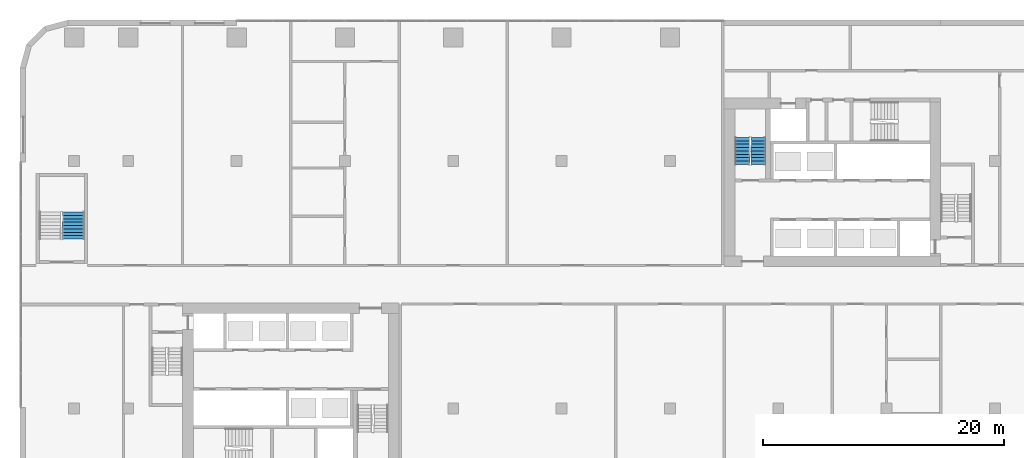
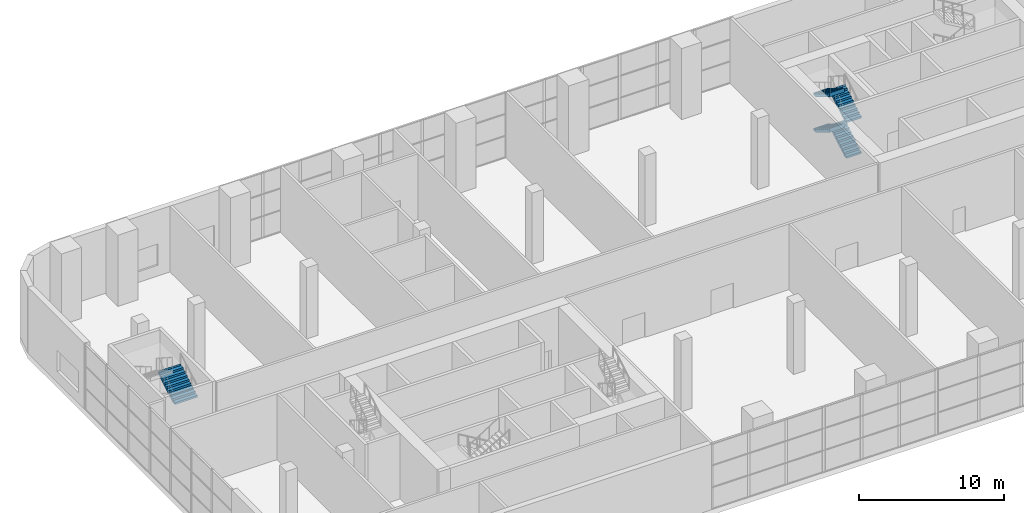
# One storey, part 20 of 27: 5 stair flights, 2 elements without a shape of their own.
"""IFC4 building model written with IfcOpenShell, lengths in metres."""

from ifc_helpers import new_model, si_unit, direction, frame, origin, place, context, subcontext, project, spatial, faceted_brep, material, type_object, element, aggregate, save


model = new_model("IFC4")

# Units and contexts
model_context = context("Model", 3, precision=1e-05, world=origin(), true_north=direction((0.0, 1.0)))
body_context = subcontext(model_context, "Body", "Model", "MODEL_VIEW")
ifc_project = project(units=[si_unit("LENGTHUNIT", "METRE"), si_unit("AREAUNIT", "SQUARE_METRE"), si_unit("VOLUMEUNIT", "CUBIC_METRE"), si_unit("PLANEANGLEUNIT", "RADIAN"), si_unit("MASSUNIT", "GRAM", prefix="KILO")], contexts=[model_context])

# Site, building, storey
site_placement = place(None, origin())
site = spatial("IfcSite", under=ifc_project, at=site_placement, CompositionType="ELEMENT")
building_placement = place(site_placement, origin())
building = spatial("IfcBuilding", under=site, at=building_placement, Name="Kajstack Hotel Tower", CompositionType="ELEMENT")
storey_placement = place(building_placement, frame((0.0, 0.0, 11.0)))
storey = spatial("IfcBuildingStorey", under=building, at=storey_placement, Name="L01", CompositionType="ELEMENT", Elevation=11.0)

# Stair, stair flight
ifc_material = material(Name="Concrete C40/50", Category="concrete")
stair_type_1 = type_object("IfcStairType", Name="Escape stair 1800", PredefinedType="HALF_TURN_STAIR", material=ifc_material)
stair_1_placement = place(storey_placement, origin())
stair_1 = element("IfcStair", 1, at=stair_1_placement, inside=storey, type_object=stair_type_1, Name="L01 stair P1", PredefinedType="HALF_TURN_STAIR")
stair_flight_type_1 = type_object("IfcStairFlightType", Name="Escape stair flight 1800", PredefinedType="STRAIGHT", material=ifc_material)
stair_flight_1_placement = place(storey_placement, frame((-40.550048828125, 3.800048828125, 3.0), z_axis=(0.0, 0.0, 1.0), x_axis=(0.0, 1.0, 0.0)))
stair_flight_1 = element("IfcStairFlight", 2, at=stair_flight_1_placement, type_object=stair_flight_type_1, Name="P1 flight 3", NumberOfRisers=9, NumberOfTreads=8, PredefinedType="STRAIGHT", RiserHeight=0.166666667, TreadLength=0.28, context=body_context, shape_type="Brep", body=[
    faceted_brep([(0.29345703125, -0.89990234375, 0.0), (2.240478515625, -0.89990234375, 1.158935546875), (2.240478515625, -0.89990234375, 1.5), (2.239990234375, -0.89990234375, 1.5), (2.239990234375, -0.89990234375, 1.333251953125), (1.9599609375, -0.89990234375, 1.333251953125), (1.9599609375, -0.89990234375, 1.166748046875), (1.679931640625, -0.89990234375, 1.166748046875), (1.679931640625, -0.89990234375, 1.0), (1.39990234375, -0.89990234375, 1.0), (1.39990234375, -0.89990234375, 0.833251953125), (1.1201171875, -0.89990234375, 0.833251953125), (1.1201171875, -0.89990234375, 0.666748046875), (0.840087890625, -0.89990234375, 0.666748046875), (0.840087890625, -0.89990234375, 0.5), (0.56005859375, -0.89990234375, 0.5), (0.56005859375, -0.89990234375, 0.333251953125), (0.280029296875, -0.89990234375, 0.333251953125), (0.280029296875, -0.89990234375, 0.166748046875), (-0.00048828125, -0.89990234375, 0.166748046875), (-0.00048828125, -0.89990234375, 0.0), (-0.00048828125, 0.89990234375, 0.0), (-0.00048828125, 0.89990234375, 0.166748046875), (0.280029296875, 0.89990234375, 0.166748046875), (0.280029296875, 0.89990234375, 0.333251953125), (0.56005859375, 0.89990234375, 0.333251953125), (0.56005859375, 0.89990234375, 0.5), (0.840087890625, 0.89990234375, 0.5), (0.840087890625, 0.89990234375, 0.666748046875), (1.1201171875, 0.89990234375, 0.666748046875), (1.1201171875, 0.89990234375, 0.833251953125), (1.39990234375, 0.89990234375, 0.833251953125), (1.39990234375, 0.89990234375, 1.0), (1.679931640625, 0.89990234375, 1.0), (1.679931640625, 0.89990234375, 1.166748046875), (1.9599609375, 0.89990234375, 1.166748046875), (1.9599609375, 0.89990234375, 1.333251953125), (2.239990234375, 0.89990234375, 1.333251953125), (2.239990234375, 0.89990234375, 1.5), (2.240478515625, 0.89990234375, 1.5), (2.240478515625, 0.89990234375, 1.158935546875), (0.29345703125, 0.89990234375, 0.0), (-0.00048828125, -0.449951171875, 0.166748046875), (-0.00048828125, 0.0, 0.166748046875), (-0.00048828125, 0.449951171875, 0.166748046875), (-0.00048828125, 0.449951171875, 0.0), (-0.00048828125, 0.0, 0.0), (-0.00048828125, -0.449951171875, 0.0), (0.280029296875, -0.449951171875, 0.166748046875), (0.280029296875, 0.0, 0.166748046875), (0.280029296875, 0.449951171875, 0.166748046875), (0.280029296875, -0.449951171875, 0.333251953125), (0.280029296875, 0.0, 0.333251953125), (0.280029296875, 0.449951171875, 0.333251953125), (0.56005859375, -0.449951171875, 0.333251953125), (0.56005859375, 0.0, 0.333251953125), (0.56005859375, 0.449951171875, 0.333251953125), (0.56005859375, -0.449951171875, 0.5), (0.56005859375, 0.0, 0.5), (0.56005859375, 0.449951171875, 0.5), (0.840087890625, -0.449951171875, 0.5), (0.840087890625, 0.0, 0.5), (0.840087890625, 0.449951171875, 0.5), (0.840087890625, -0.449951171875, 0.666748046875), (0.840087890625, 0.0, 0.666748046875), (0.840087890625, 0.449951171875, 0.666748046875), (1.1201171875, -0.449951171875, 0.666748046875), (1.1201171875, 0.0, 0.666748046875), (1.1201171875, 0.449951171875, 0.666748046875), (1.1201171875, -0.449951171875, 0.833251953125), (1.1201171875, 0.0, 0.833251953125), (1.1201171875, 0.449951171875, 0.833251953125), (1.39990234375, -0.449951171875, 0.833251953125), (1.39990234375, 0.0, 0.833251953125), (1.39990234375, 0.449951171875, 0.833251953125), (1.39990234375, -0.449951171875, 1.0), (1.39990234375, 0.0, 1.0), (1.39990234375, 0.449951171875, 1.0), (1.679931640625, -0.449951171875, 1.0), (1.679931640625, 0.0, 1.0), (1.679931640625, 0.449951171875, 1.0), (1.679931640625, -0.449951171875, 1.166748046875), (1.679931640625, 0.0, 1.166748046875), (1.679931640625, 0.449951171875, 1.166748046875), (1.9599609375, -0.449951171875, 1.166748046875), (1.9599609375, 0.0, 1.166748046875), (1.9599609375, 0.449951171875, 1.166748046875), (1.9599609375, -0.449951171875, 1.333251953125), (1.9599609375, 0.0, 1.333251953125), (1.9599609375, 0.449951171875, 1.333251953125), (2.239990234375, -0.449951171875, 1.333251953125), (2.239990234375, 0.0, 1.333251953125), (2.239990234375, 0.449951171875, 1.333251953125), (2.239990234375, -0.449951171875, 1.5), (2.239990234375, 0.0, 1.5), (2.239990234375, 0.449951171875, 1.5), (2.240478515625, -0.449951171875, 1.5), (2.240478515625, 0.0, 1.5), (2.240478515625, 0.449951171875, 1.5), (2.240478515625, -0.449951171875, 1.158935546875), (2.240478515625, 0.0, 1.158935546875), (2.240478515625, 0.449951171875, 1.158935546875), (0.29345703125, -0.449951171875, 0.0), (0.29345703125, 0.0, 0.0), (0.29345703125, 0.449951171875, 0.0)], [[[0, 1, 2, 3, 4, 5, 6, 7, 8, 9, 10, 11, 12, 13, 14, 15, 16, 17, 18, 19, 20]], [[21, 22, 23, 24, 25, 26, 27, 28, 29, 30, 31, 32, 33, 34, 35, 36, 37, 38, 39, 40, 41]], [[19, 42, 43, 44, 22, 21, 45, 46, 47, 20]], [[18, 48, 49, 50, 23, 22, 44, 43, 42, 19]], [[17, 51, 52, 53, 24, 23, 50, 49, 48, 18]], [[16, 54, 55, 56, 25, 24, 53, 52, 51, 17]], [[15, 57, 58, 59, 26, 25, 56, 55, 54, 16]], [[14, 60, 61, 62, 27, 26, 59, 58, 57, 15]], [[13, 63, 64, 65, 28, 27, 62, 61, 60, 14]], [[12, 66, 67, 68, 29, 28, 65, 64, 63, 13]], [[11, 69, 70, 71, 30, 29, 68, 67, 66, 12]], [[10, 72, 73, 74, 31, 30, 71, 70, 69, 11]], [[9, 75, 76, 77, 32, 31, 74, 73, 72, 10]], [[8, 78, 79, 80, 33, 32, 77, 76, 75, 9]], [[7, 81, 82, 83, 34, 33, 80, 79, 78, 8]], [[6, 84, 85, 86, 35, 34, 83, 82, 81, 7]], [[5, 87, 88, 89, 36, 35, 86, 85, 84, 6]], [[4, 90, 91, 92, 37, 36, 89, 88, 87, 5]], [[3, 93, 94, 95, 38, 37, 92, 91, 90, 4]], [[2, 96, 97, 98, 39, 38, 95, 94, 93, 3]], [[1, 99, 100, 101, 40, 39, 98, 97, 96, 2]], [[0, 102, 103, 104, 41, 40, 101, 100, 99, 1]], [[20, 47, 46, 45, 21, 41, 104, 103, 102, 0]]]),
])
aggregate(stair_1, [stair_flight_1])

# Stair, stair flights
stair_type_2 = type_object("IfcStairType", Name="Exit stair 1200", PredefinedType="HALF_TURN_STAIR", material=ifc_material)
stair_2_placement = place(storey_placement, origin())
stair_2 = element("IfcStair", 3, at=stair_2_placement, inside=storey, type_object=stair_type_2, Name="L01 stair E2", PredefinedType="HALF_TURN_STAIR")
stair_flight_type_2 = type_object("IfcStairFlightType", Name="Exit stair flight 1200", PredefinedType="STRAIGHT", material=ifc_material)
stair_flight_2_placement = place(storey_placement, frame((16.35009765625, 10.0, 0.0), z_axis=(0.0, 0.0, 1.0), x_axis=(0.0, 1.0, 0.0)))
stair_flight_2 = element("IfcStairFlight", 4, at=stair_flight_2_placement, type_object=stair_flight_type_2, Name="E2 flight 1", NumberOfRisers=9, NumberOfTreads=8, PredefinedType="STRAIGHT", RiserHeight=0.166666667, TreadLength=0.28, context=body_context, shape_type="Brep", body=[
    faceted_brep([(0.29345703125, -0.60009765625, 0.0), (2.240478515625, -0.60009765625, 1.158935546875), (2.240478515625, -0.60009765625, 1.5), (2.239990234375, -0.60009765625, 1.5), (2.239990234375, -0.60009765625, 1.333251953125), (1.9599609375, -0.60009765625, 1.333251953125), (1.9599609375, -0.60009765625, 1.166748046875), (1.679931640625, -0.60009765625, 1.166748046875), (1.679931640625, -0.60009765625, 1.0), (1.39990234375, -0.60009765625, 1.0), (1.39990234375, -0.60009765625, 0.833251953125), (1.1201171875, -0.60009765625, 0.833251953125), (1.1201171875, -0.60009765625, 0.666748046875), (0.840087890625, -0.60009765625, 0.666748046875), (0.840087890625, -0.60009765625, 0.5), (0.56005859375, -0.60009765625, 0.5), (0.56005859375, -0.60009765625, 0.333251953125), (0.280029296875, -0.60009765625, 0.333251953125), (0.280029296875, -0.60009765625, 0.166748046875), (-0.00048828125, -0.60009765625, 0.166748046875), (-0.00048828125, -0.60009765625, 0.0), (-0.00048828125, 0.60009765625, 0.0), (-0.00048828125, 0.60009765625, 0.166748046875), (0.280029296875, 0.60009765625, 0.166748046875), (0.280029296875, 0.60009765625, 0.333251953125), (0.56005859375, 0.60009765625, 0.333251953125), (0.56005859375, 0.60009765625, 0.5), (0.840087890625, 0.60009765625, 0.5), (0.840087890625, 0.60009765625, 0.666748046875), (1.1201171875, 0.60009765625, 0.666748046875), (1.1201171875, 0.60009765625, 0.833251953125), (1.39990234375, 0.60009765625, 0.833251953125), (1.39990234375, 0.60009765625, 1.0), (1.679931640625, 0.60009765625, 1.0), (1.679931640625, 0.60009765625, 1.166748046875), (1.9599609375, 0.60009765625, 1.166748046875), (1.9599609375, 0.60009765625, 1.333251953125), (2.239990234375, 0.60009765625, 1.333251953125), (2.239990234375, 0.60009765625, 1.5), (2.240478515625, 0.60009765625, 1.5), (2.240478515625, 0.60009765625, 1.158935546875), (0.29345703125, 0.60009765625, 0.0), (-0.00048828125, -0.300048828125, 0.166748046875), (-0.00048828125, 0.0, 0.166748046875), (-0.00048828125, 0.300048828125, 0.166748046875), (-0.00048828125, 0.300048828125, 0.0), (-0.00048828125, 0.0, 0.0), (-0.00048828125, -0.300048828125, 0.0), (0.280029296875, -0.300048828125, 0.166748046875), (0.280029296875, 0.0, 0.166748046875), (0.280029296875, 0.300048828125, 0.166748046875), (0.280029296875, -0.300048828125, 0.333251953125), (0.280029296875, 0.0, 0.333251953125), (0.280029296875, 0.300048828125, 0.333251953125), (0.56005859375, -0.300048828125, 0.333251953125), (0.56005859375, 0.0, 0.333251953125), (0.56005859375, 0.300048828125, 0.333251953125), (0.56005859375, -0.300048828125, 0.5), (0.56005859375, 0.0, 0.5), (0.56005859375, 0.300048828125, 0.5), (0.840087890625, -0.300048828125, 0.5), (0.840087890625, 0.0, 0.5), (0.840087890625, 0.300048828125, 0.5), (0.840087890625, -0.300048828125, 0.666748046875), (0.840087890625, 0.0, 0.666748046875), (0.840087890625, 0.300048828125, 0.666748046875), (1.1201171875, -0.300048828125, 0.666748046875), (1.1201171875, 0.0, 0.666748046875), (1.1201171875, 0.300048828125, 0.666748046875), (1.1201171875, -0.300048828125, 0.833251953125), (1.1201171875, 0.0, 0.833251953125), (1.1201171875, 0.300048828125, 0.833251953125), (1.39990234375, -0.300048828125, 0.833251953125), (1.39990234375, 0.0, 0.833251953125), (1.39990234375, 0.300048828125, 0.833251953125), (1.39990234375, -0.300048828125, 1.0), (1.39990234375, 0.0, 1.0), (1.39990234375, 0.300048828125, 1.0), (1.679931640625, -0.300048828125, 1.0), (1.679931640625, 0.0, 1.0), (1.679931640625, 0.300048828125, 1.0), (1.679931640625, -0.300048828125, 1.166748046875), (1.679931640625, 0.0, 1.166748046875), (1.679931640625, 0.300048828125, 1.166748046875), (1.9599609375, -0.300048828125, 1.166748046875), (1.9599609375, 0.0, 1.166748046875), (1.9599609375, 0.300048828125, 1.166748046875), (1.9599609375, -0.300048828125, 1.333251953125), (1.9599609375, 0.0, 1.333251953125), (1.9599609375, 0.300048828125, 1.333251953125), (2.239990234375, -0.300048828125, 1.333251953125), (2.239990234375, 0.0, 1.333251953125), (2.239990234375, 0.300048828125, 1.333251953125), (2.239990234375, -0.300048828125, 1.5), (2.239990234375, 0.0, 1.5), (2.239990234375, 0.300048828125, 1.5), (2.240478515625, -0.300048828125, 1.5), (2.240478515625, 0.0, 1.5), (2.240478515625, 0.300048828125, 1.5), (2.240478515625, -0.300048828125, 1.158935546875), (2.240478515625, 0.0, 1.158935546875), (2.240478515625, 0.300048828125, 1.158935546875), (0.29345703125, -0.300048828125, 0.0), (0.29345703125, 0.0, 0.0), (0.29345703125, 0.300048828125, 0.0)], [[[0, 1, 2, 3, 4, 5, 6, 7, 8, 9, 10, 11, 12, 13, 14, 15, 16, 17, 18, 19, 20]], [[21, 22, 23, 24, 25, 26, 27, 28, 29, 30, 31, 32, 33, 34, 35, 36, 37, 38, 39, 40, 41]], [[19, 42, 43, 44, 22, 21, 45, 46, 47, 20]], [[18, 48, 49, 50, 23, 22, 44, 43, 42, 19]], [[17, 51, 52, 53, 24, 23, 50, 49, 48, 18]], [[16, 54, 55, 56, 25, 24, 53, 52, 51, 17]], [[15, 57, 58, 59, 26, 25, 56, 55, 54, 16]], [[14, 60, 61, 62, 27, 26, 59, 58, 57, 15]], [[13, 63, 64, 65, 28, 27, 62, 61, 60, 14]], [[12, 66, 67, 68, 29, 28, 65, 64, 63, 13]], [[11, 69, 70, 71, 30, 29, 68, 67, 66, 12]], [[10, 72, 73, 74, 31, 30, 71, 70, 69, 11]], [[9, 75, 76, 77, 32, 31, 74, 73, 72, 10]], [[8, 78, 79, 80, 33, 32, 77, 76, 75, 9]], [[7, 81, 82, 83, 34, 33, 80, 79, 78, 8]], [[6, 84, 85, 86, 35, 34, 83, 82, 81, 7]], [[5, 87, 88, 89, 36, 35, 86, 85, 84, 6]], [[4, 90, 91, 92, 37, 36, 89, 88, 87, 5]], [[3, 93, 94, 95, 38, 37, 92, 91, 90, 4]], [[2, 96, 97, 98, 39, 38, 95, 94, 93, 3]], [[1, 99, 100, 101, 40, 39, 98, 97, 96, 2]], [[0, 102, 103, 104, 41, 40, 101, 100, 99, 1]], [[20, 47, 46, 45, 21, 41, 104, 103, 102, 0]]]),
])
stair_flight_3_placement = place(storey_placement, frame((15.0, 12.239990234375, 1.5), z_axis=(0.0, 0.0, 1.0), x_axis=(0.0, -1.0, 0.0)))
stair_flight_3 = element("IfcStairFlight", 5, at=stair_flight_3_placement, type_object=stair_flight_type_2, Name="E2 flight 2", NumberOfRisers=9, NumberOfTreads=8, PredefinedType="STRAIGHT", RiserHeight=0.166666667, TreadLength=0.28, context=body_context, shape_type="Brep", body=[
    faceted_brep([(0.29345703125, -0.60009765625, 0.0), (2.240478515625, -0.60009765625, 1.158935546875), (2.240478515625, -0.60009765625, 1.5), (2.239990234375, -0.60009765625, 1.5), (2.239990234375, -0.60009765625, 1.333251953125), (1.9599609375, -0.60009765625, 1.333251953125), (1.9599609375, -0.60009765625, 1.166748046875), (1.679931640625, -0.60009765625, 1.166748046875), (1.679931640625, -0.60009765625, 1.0), (1.39990234375, -0.60009765625, 1.0), (1.39990234375, -0.60009765625, 0.833251953125), (1.1201171875, -0.60009765625, 0.833251953125), (1.1201171875, -0.60009765625, 0.666748046875), (0.840087890625, -0.60009765625, 0.666748046875), (0.840087890625, -0.60009765625, 0.5), (0.56005859375, -0.60009765625, 0.5), (0.56005859375, -0.60009765625, 0.333251953125), (0.280029296875, -0.60009765625, 0.333251953125), (0.280029296875, -0.60009765625, 0.166748046875), (-0.00048828125, -0.60009765625, 0.166748046875), (-0.00048828125, -0.60009765625, 0.0), (-0.00048828125, 0.60009765625, 0.0), (-0.00048828125, 0.60009765625, 0.166748046875), (0.280029296875, 0.60009765625, 0.166748046875), (0.280029296875, 0.60009765625, 0.333251953125), (0.56005859375, 0.60009765625, 0.333251953125), (0.56005859375, 0.60009765625, 0.5), (0.840087890625, 0.60009765625, 0.5), (0.840087890625, 0.60009765625, 0.666748046875), (1.1201171875, 0.60009765625, 0.666748046875), (1.1201171875, 0.60009765625, 0.833251953125), (1.39990234375, 0.60009765625, 0.833251953125), (1.39990234375, 0.60009765625, 1.0), (1.679931640625, 0.60009765625, 1.0), (1.679931640625, 0.60009765625, 1.166748046875), (1.9599609375, 0.60009765625, 1.166748046875), (1.9599609375, 0.60009765625, 1.333251953125), (2.239990234375, 0.60009765625, 1.333251953125), (2.239990234375, 0.60009765625, 1.5), (2.240478515625, 0.60009765625, 1.5), (2.240478515625, 0.60009765625, 1.158935546875), (0.29345703125, 0.60009765625, 0.0), (-0.00048828125, -0.300048828125, 0.166748046875), (-0.00048828125, 0.0, 0.166748046875), (-0.00048828125, 0.300048828125, 0.166748046875), (-0.00048828125, 0.300048828125, 0.0), (-0.00048828125, 0.0, 0.0), (-0.00048828125, -0.300048828125, 0.0), (0.280029296875, -0.300048828125, 0.166748046875), (0.280029296875, 0.0, 0.166748046875), (0.280029296875, 0.300048828125, 0.166748046875), (0.280029296875, -0.300048828125, 0.333251953125), (0.280029296875, 0.0, 0.333251953125), (0.280029296875, 0.300048828125, 0.333251953125), (0.56005859375, -0.300048828125, 0.333251953125), (0.56005859375, 0.0, 0.333251953125), (0.56005859375, 0.300048828125, 0.333251953125), (0.56005859375, -0.300048828125, 0.5), (0.56005859375, 0.0, 0.5), (0.56005859375, 0.300048828125, 0.5), (0.840087890625, -0.300048828125, 0.5), (0.840087890625, 0.0, 0.5), (0.840087890625, 0.300048828125, 0.5), (0.840087890625, -0.300048828125, 0.666748046875), (0.840087890625, 0.0, 0.666748046875), (0.840087890625, 0.300048828125, 0.666748046875), (1.1201171875, -0.300048828125, 0.666748046875), (1.1201171875, 0.0, 0.666748046875), (1.1201171875, 0.300048828125, 0.666748046875), (1.1201171875, -0.300048828125, 0.833251953125), (1.1201171875, 0.0, 0.833251953125), (1.1201171875, 0.300048828125, 0.833251953125), (1.39990234375, -0.300048828125, 0.833251953125), (1.39990234375, 0.0, 0.833251953125), (1.39990234375, 0.300048828125, 0.833251953125), (1.39990234375, -0.300048828125, 1.0), (1.39990234375, 0.0, 1.0), (1.39990234375, 0.300048828125, 1.0), (1.679931640625, -0.300048828125, 1.0), (1.679931640625, 0.0, 1.0), (1.679931640625, 0.300048828125, 1.0), (1.679931640625, -0.300048828125, 1.166748046875), (1.679931640625, 0.0, 1.166748046875), (1.679931640625, 0.300048828125, 1.166748046875), (1.9599609375, -0.300048828125, 1.166748046875), (1.9599609375, 0.0, 1.166748046875), (1.9599609375, 0.300048828125, 1.166748046875), (1.9599609375, -0.300048828125, 1.333251953125), (1.9599609375, 0.0, 1.333251953125), (1.9599609375, 0.300048828125, 1.333251953125), (2.239990234375, -0.300048828125, 1.333251953125), (2.239990234375, 0.0, 1.333251953125), (2.239990234375, 0.300048828125, 1.333251953125), (2.239990234375, -0.300048828125, 1.5), (2.239990234375, 0.0, 1.5), (2.239990234375, 0.300048828125, 1.5), (2.240478515625, -0.300048828125, 1.5), (2.240478515625, 0.0, 1.5), (2.240478515625, 0.300048828125, 1.5), (2.240478515625, -0.300048828125, 1.158935546875), (2.240478515625, 0.0, 1.158935546875), (2.240478515625, 0.300048828125, 1.158935546875), (0.29345703125, -0.300048828125, 0.0), (0.29345703125, 0.0, 0.0), (0.29345703125, 0.300048828125, 0.0)], [[[0, 1, 2, 3, 4, 5, 6, 7, 8, 9, 10, 11, 12, 13, 14, 15, 16, 17, 18, 19, 20]], [[21, 22, 23, 24, 25, 26, 27, 28, 29, 30, 31, 32, 33, 34, 35, 36, 37, 38, 39, 40, 41]], [[19, 42, 43, 44, 22, 21, 45, 46, 47, 20]], [[18, 48, 49, 50, 23, 22, 44, 43, 42, 19]], [[17, 51, 52, 53, 24, 23, 50, 49, 48, 18]], [[16, 54, 55, 56, 25, 24, 53, 52, 51, 17]], [[15, 57, 58, 59, 26, 25, 56, 55, 54, 16]], [[14, 60, 61, 62, 27, 26, 59, 58, 57, 15]], [[13, 63, 64, 65, 28, 27, 62, 61, 60, 14]], [[12, 66, 67, 68, 29, 28, 65, 64, 63, 13]], [[11, 69, 70, 71, 30, 29, 68, 67, 66, 12]], [[10, 72, 73, 74, 31, 30, 71, 70, 69, 11]], [[9, 75, 76, 77, 32, 31, 74, 73, 72, 10]], [[8, 78, 79, 80, 33, 32, 77, 76, 75, 9]], [[7, 81, 82, 83, 34, 33, 80, 79, 78, 8]], [[6, 84, 85, 86, 35, 34, 83, 82, 81, 7]], [[5, 87, 88, 89, 36, 35, 86, 85, 84, 6]], [[4, 90, 91, 92, 37, 36, 89, 88, 87, 5]], [[3, 93, 94, 95, 38, 37, 92, 91, 90, 4]], [[2, 96, 97, 98, 39, 38, 95, 94, 93, 3]], [[1, 99, 100, 101, 40, 39, 98, 97, 96, 2]], [[0, 102, 103, 104, 41, 40, 101, 100, 99, 1]], [[20, 47, 46, 45, 21, 41, 104, 103, 102, 0]]]),
])
stair_flight_4_placement = place(storey_placement, frame((16.35009765625, 10.0, 3.0), z_axis=(0.0, 0.0, 1.0), x_axis=(0.0, 1.0, 0.0)))
stair_flight_4 = element("IfcStairFlight", 6, at=stair_flight_4_placement, type_object=stair_flight_type_2, Name="E2 flight 3", NumberOfRisers=9, NumberOfTreads=8, PredefinedType="STRAIGHT", RiserHeight=0.166666667, TreadLength=0.28, context=body_context, shape_type="Brep", body=[
    faceted_brep([(0.29345703125, -0.60009765625, 0.0), (2.240478515625, -0.60009765625, 1.158935546875), (2.240478515625, -0.60009765625, 1.5), (2.239990234375, -0.60009765625, 1.5), (2.239990234375, -0.60009765625, 1.333251953125), (1.9599609375, -0.60009765625, 1.333251953125), (1.9599609375, -0.60009765625, 1.166748046875), (1.679931640625, -0.60009765625, 1.166748046875), (1.679931640625, -0.60009765625, 1.0), (1.39990234375, -0.60009765625, 1.0), (1.39990234375, -0.60009765625, 0.833251953125), (1.1201171875, -0.60009765625, 0.833251953125), (1.1201171875, -0.60009765625, 0.666748046875), (0.840087890625, -0.60009765625, 0.666748046875), (0.840087890625, -0.60009765625, 0.5), (0.56005859375, -0.60009765625, 0.5), (0.56005859375, -0.60009765625, 0.333251953125), (0.280029296875, -0.60009765625, 0.333251953125), (0.280029296875, -0.60009765625, 0.166748046875), (-0.00048828125, -0.60009765625, 0.166748046875), (-0.00048828125, -0.60009765625, 0.0), (-0.00048828125, 0.60009765625, 0.0), (-0.00048828125, 0.60009765625, 0.166748046875), (0.280029296875, 0.60009765625, 0.166748046875), (0.280029296875, 0.60009765625, 0.333251953125), (0.56005859375, 0.60009765625, 0.333251953125), (0.56005859375, 0.60009765625, 0.5), (0.840087890625, 0.60009765625, 0.5), (0.840087890625, 0.60009765625, 0.666748046875), (1.1201171875, 0.60009765625, 0.666748046875), (1.1201171875, 0.60009765625, 0.833251953125), (1.39990234375, 0.60009765625, 0.833251953125), (1.39990234375, 0.60009765625, 1.0), (1.679931640625, 0.60009765625, 1.0), (1.679931640625, 0.60009765625, 1.166748046875), (1.9599609375, 0.60009765625, 1.166748046875), (1.9599609375, 0.60009765625, 1.333251953125), (2.239990234375, 0.60009765625, 1.333251953125), (2.239990234375, 0.60009765625, 1.5), (2.240478515625, 0.60009765625, 1.5), (2.240478515625, 0.60009765625, 1.158935546875), (0.29345703125, 0.60009765625, 0.0), (-0.00048828125, -0.300048828125, 0.166748046875), (-0.00048828125, 0.0, 0.166748046875), (-0.00048828125, 0.300048828125, 0.166748046875), (-0.00048828125, 0.300048828125, 0.0), (-0.00048828125, 0.0, 0.0), (-0.00048828125, -0.300048828125, 0.0), (0.280029296875, -0.300048828125, 0.166748046875), (0.280029296875, 0.0, 0.166748046875), (0.280029296875, 0.300048828125, 0.166748046875), (0.280029296875, -0.300048828125, 0.333251953125), (0.280029296875, 0.0, 0.333251953125), (0.280029296875, 0.300048828125, 0.333251953125), (0.56005859375, -0.300048828125, 0.333251953125), (0.56005859375, 0.0, 0.333251953125), (0.56005859375, 0.300048828125, 0.333251953125), (0.56005859375, -0.300048828125, 0.5), (0.56005859375, 0.0, 0.5), (0.56005859375, 0.300048828125, 0.5), (0.840087890625, -0.300048828125, 0.5), (0.840087890625, 0.0, 0.5), (0.840087890625, 0.300048828125, 0.5), (0.840087890625, -0.300048828125, 0.666748046875), (0.840087890625, 0.0, 0.666748046875), (0.840087890625, 0.300048828125, 0.666748046875), (1.1201171875, -0.300048828125, 0.666748046875), (1.1201171875, 0.0, 0.666748046875), (1.1201171875, 0.300048828125, 0.666748046875), (1.1201171875, -0.300048828125, 0.833251953125), (1.1201171875, 0.0, 0.833251953125), (1.1201171875, 0.300048828125, 0.833251953125), (1.39990234375, -0.300048828125, 0.833251953125), (1.39990234375, 0.0, 0.833251953125), (1.39990234375, 0.300048828125, 0.833251953125), (1.39990234375, -0.300048828125, 1.0), (1.39990234375, 0.0, 1.0), (1.39990234375, 0.300048828125, 1.0), (1.679931640625, -0.300048828125, 1.0), (1.679931640625, 0.0, 1.0), (1.679931640625, 0.300048828125, 1.0), (1.679931640625, -0.300048828125, 1.166748046875), (1.679931640625, 0.0, 1.166748046875), (1.679931640625, 0.300048828125, 1.166748046875), (1.9599609375, -0.300048828125, 1.166748046875), (1.9599609375, 0.0, 1.166748046875), (1.9599609375, 0.300048828125, 1.166748046875), (1.9599609375, -0.300048828125, 1.333251953125), (1.9599609375, 0.0, 1.333251953125), (1.9599609375, 0.300048828125, 1.333251953125), (2.239990234375, -0.300048828125, 1.333251953125), (2.239990234375, 0.0, 1.333251953125), (2.239990234375, 0.300048828125, 1.333251953125), (2.239990234375, -0.300048828125, 1.5), (2.239990234375, 0.0, 1.5), (2.239990234375, 0.300048828125, 1.5), (2.240478515625, -0.300048828125, 1.5), (2.240478515625, 0.0, 1.5), (2.240478515625, 0.300048828125, 1.5), (2.240478515625, -0.300048828125, 1.158935546875), (2.240478515625, 0.0, 1.158935546875), (2.240478515625, 0.300048828125, 1.158935546875), (0.29345703125, -0.300048828125, 0.0), (0.29345703125, 0.0, 0.0), (0.29345703125, 0.300048828125, 0.0)], [[[0, 1, 2, 3, 4, 5, 6, 7, 8, 9, 10, 11, 12, 13, 14, 15, 16, 17, 18, 19, 20]], [[21, 22, 23, 24, 25, 26, 27, 28, 29, 30, 31, 32, 33, 34, 35, 36, 37, 38, 39, 40, 41]], [[19, 42, 43, 44, 22, 21, 45, 46, 47, 20]], [[18, 48, 49, 50, 23, 22, 44, 43, 42, 19]], [[17, 51, 52, 53, 24, 23, 50, 49, 48, 18]], [[16, 54, 55, 56, 25, 24, 53, 52, 51, 17]], [[15, 57, 58, 59, 26, 25, 56, 55, 54, 16]], [[14, 60, 61, 62, 27, 26, 59, 58, 57, 15]], [[13, 63, 64, 65, 28, 27, 62, 61, 60, 14]], [[12, 66, 67, 68, 29, 28, 65, 64, 63, 13]], [[11, 69, 70, 71, 30, 29, 68, 67, 66, 12]], [[10, 72, 73, 74, 31, 30, 71, 70, 69, 11]], [[9, 75, 76, 77, 32, 31, 74, 73, 72, 10]], [[8, 78, 79, 80, 33, 32, 77, 76, 75, 9]], [[7, 81, 82, 83, 34, 33, 80, 79, 78, 8]], [[6, 84, 85, 86, 35, 34, 83, 82, 81, 7]], [[5, 87, 88, 89, 36, 35, 86, 85, 84, 6]], [[4, 90, 91, 92, 37, 36, 89, 88, 87, 5]], [[3, 93, 94, 95, 38, 37, 92, 91, 90, 4]], [[2, 96, 97, 98, 39, 38, 95, 94, 93, 3]], [[1, 99, 100, 101, 40, 39, 98, 97, 96, 2]], [[0, 102, 103, 104, 41, 40, 101, 100, 99, 1]], [[20, 47, 46, 45, 21, 41, 104, 103, 102, 0]]]),
])
stair_flight_5_placement = place(storey_placement, frame((15.0, 12.239990234375, 4.5), z_axis=(0.0, 0.0, 1.0), x_axis=(0.0, -1.0, 0.0)))
stair_flight_5 = element("IfcStairFlight", 7, at=stair_flight_5_placement, type_object=stair_flight_type_2, Name="E2 flight 4", NumberOfRisers=9, NumberOfTreads=8, PredefinedType="STRAIGHT", RiserHeight=0.166666667, TreadLength=0.28, context=body_context, shape_type="Brep", body=[
    faceted_brep([(0.29345703125, -0.60009765625, 0.0), (2.240478515625, -0.60009765625, 1.158935546875), (2.240478515625, -0.60009765625, 1.5), (2.239990234375, -0.60009765625, 1.5), (2.239990234375, -0.60009765625, 1.333251953125), (1.9599609375, -0.60009765625, 1.333251953125), (1.9599609375, -0.60009765625, 1.166748046875), (1.679931640625, -0.60009765625, 1.166748046875), (1.679931640625, -0.60009765625, 1.0), (1.39990234375, -0.60009765625, 1.0), (1.39990234375, -0.60009765625, 0.833251953125), (1.1201171875, -0.60009765625, 0.833251953125), (1.1201171875, -0.60009765625, 0.666748046875), (0.840087890625, -0.60009765625, 0.666748046875), (0.840087890625, -0.60009765625, 0.5), (0.56005859375, -0.60009765625, 0.5), (0.56005859375, -0.60009765625, 0.333251953125), (0.280029296875, -0.60009765625, 0.333251953125), (0.280029296875, -0.60009765625, 0.166748046875), (-0.00048828125, -0.60009765625, 0.166748046875), (-0.00048828125, -0.60009765625, 0.0), (-0.00048828125, 0.60009765625, 0.0), (-0.00048828125, 0.60009765625, 0.166748046875), (0.280029296875, 0.60009765625, 0.166748046875), (0.280029296875, 0.60009765625, 0.333251953125), (0.56005859375, 0.60009765625, 0.333251953125), (0.56005859375, 0.60009765625, 0.5), (0.840087890625, 0.60009765625, 0.5), (0.840087890625, 0.60009765625, 0.666748046875), (1.1201171875, 0.60009765625, 0.666748046875), (1.1201171875, 0.60009765625, 0.833251953125), (1.39990234375, 0.60009765625, 0.833251953125), (1.39990234375, 0.60009765625, 1.0), (1.679931640625, 0.60009765625, 1.0), (1.679931640625, 0.60009765625, 1.166748046875), (1.9599609375, 0.60009765625, 1.166748046875), (1.9599609375, 0.60009765625, 1.333251953125), (2.239990234375, 0.60009765625, 1.333251953125), (2.239990234375, 0.60009765625, 1.5), (2.240478515625, 0.60009765625, 1.5), (2.240478515625, 0.60009765625, 1.158935546875), (0.29345703125, 0.60009765625, 0.0), (-0.00048828125, -0.300048828125, 0.166748046875), (-0.00048828125, 0.0, 0.166748046875), (-0.00048828125, 0.300048828125, 0.166748046875), (-0.00048828125, 0.300048828125, 0.0), (-0.00048828125, 0.0, 0.0), (-0.00048828125, -0.300048828125, 0.0), (0.280029296875, -0.300048828125, 0.166748046875), (0.280029296875, 0.0, 0.166748046875), (0.280029296875, 0.300048828125, 0.166748046875), (0.280029296875, -0.300048828125, 0.333251953125), (0.280029296875, 0.0, 0.333251953125), (0.280029296875, 0.300048828125, 0.333251953125), (0.56005859375, -0.300048828125, 0.333251953125), (0.56005859375, 0.0, 0.333251953125), (0.56005859375, 0.300048828125, 0.333251953125), (0.56005859375, -0.300048828125, 0.5), (0.56005859375, 0.0, 0.5), (0.56005859375, 0.300048828125, 0.5), (0.840087890625, -0.300048828125, 0.5), (0.840087890625, 0.0, 0.5), (0.840087890625, 0.300048828125, 0.5), (0.840087890625, -0.300048828125, 0.666748046875), (0.840087890625, 0.0, 0.666748046875), (0.840087890625, 0.300048828125, 0.666748046875), (1.1201171875, -0.300048828125, 0.666748046875), (1.1201171875, 0.0, 0.666748046875), (1.1201171875, 0.300048828125, 0.666748046875), (1.1201171875, -0.300048828125, 0.833251953125), (1.1201171875, 0.0, 0.833251953125), (1.1201171875, 0.300048828125, 0.833251953125), (1.39990234375, -0.300048828125, 0.833251953125), (1.39990234375, 0.0, 0.833251953125), (1.39990234375, 0.300048828125, 0.833251953125), (1.39990234375, -0.300048828125, 1.0), (1.39990234375, 0.0, 1.0), (1.39990234375, 0.300048828125, 1.0), (1.679931640625, -0.300048828125, 1.0), (1.679931640625, 0.0, 1.0), (1.679931640625, 0.300048828125, 1.0), (1.679931640625, -0.300048828125, 1.166748046875), (1.679931640625, 0.0, 1.166748046875), (1.679931640625, 0.300048828125, 1.166748046875), (1.9599609375, -0.300048828125, 1.166748046875), (1.9599609375, 0.0, 1.166748046875), (1.9599609375, 0.300048828125, 1.166748046875), (1.9599609375, -0.300048828125, 1.333251953125), (1.9599609375, 0.0, 1.333251953125), (1.9599609375, 0.300048828125, 1.333251953125), (2.239990234375, -0.300048828125, 1.333251953125), (2.239990234375, 0.0, 1.333251953125), (2.239990234375, 0.300048828125, 1.333251953125), (2.239990234375, -0.300048828125, 1.5), (2.239990234375, 0.0, 1.5), (2.239990234375, 0.300048828125, 1.5), (2.240478515625, -0.300048828125, 1.5), (2.240478515625, 0.0, 1.5), (2.240478515625, 0.300048828125, 1.5), (2.240478515625, -0.300048828125, 1.158935546875), (2.240478515625, 0.0, 1.158935546875), (2.240478515625, 0.300048828125, 1.158935546875), (0.29345703125, -0.300048828125, 0.0), (0.29345703125, 0.0, 0.0), (0.29345703125, 0.300048828125, 0.0)], [[[0, 1, 2, 3, 4, 5, 6, 7, 8, 9, 10, 11, 12, 13, 14, 15, 16, 17, 18, 19, 20]], [[21, 22, 23, 24, 25, 26, 27, 28, 29, 30, 31, 32, 33, 34, 35, 36, 37, 38, 39, 40, 41]], [[19, 42, 43, 44, 22, 21, 45, 46, 47, 20]], [[18, 48, 49, 50, 23, 22, 44, 43, 42, 19]], [[17, 51, 52, 53, 24, 23, 50, 49, 48, 18]], [[16, 54, 55, 56, 25, 24, 53, 52, 51, 17]], [[15, 57, 58, 59, 26, 25, 56, 55, 54, 16]], [[14, 60, 61, 62, 27, 26, 59, 58, 57, 15]], [[13, 63, 64, 65, 28, 27, 62, 61, 60, 14]], [[12, 66, 67, 68, 29, 28, 65, 64, 63, 13]], [[11, 69, 70, 71, 30, 29, 68, 67, 66, 12]], [[10, 72, 73, 74, 31, 30, 71, 70, 69, 11]], [[9, 75, 76, 77, 32, 31, 74, 73, 72, 10]], [[8, 78, 79, 80, 33, 32, 77, 76, 75, 9]], [[7, 81, 82, 83, 34, 33, 80, 79, 78, 8]], [[6, 84, 85, 86, 35, 34, 83, 82, 81, 7]], [[5, 87, 88, 89, 36, 35, 86, 85, 84, 6]], [[4, 90, 91, 92, 37, 36, 89, 88, 87, 5]], [[3, 93, 94, 95, 38, 37, 92, 91, 90, 4]], [[2, 96, 97, 98, 39, 38, 95, 94, 93, 3]], [[1, 99, 100, 101, 40, 39, 98, 97, 96, 2]], [[0, 102, 103, 104, 41, 40, 101, 100, 99, 1]], [[20, 47, 46, 45, 21, 41, 104, 103, 102, 0]]]),
])
aggregate(stair_2, [stair_flight_2, stair_flight_3, stair_flight_4, stair_flight_5])

save(model, "model.ifc")
